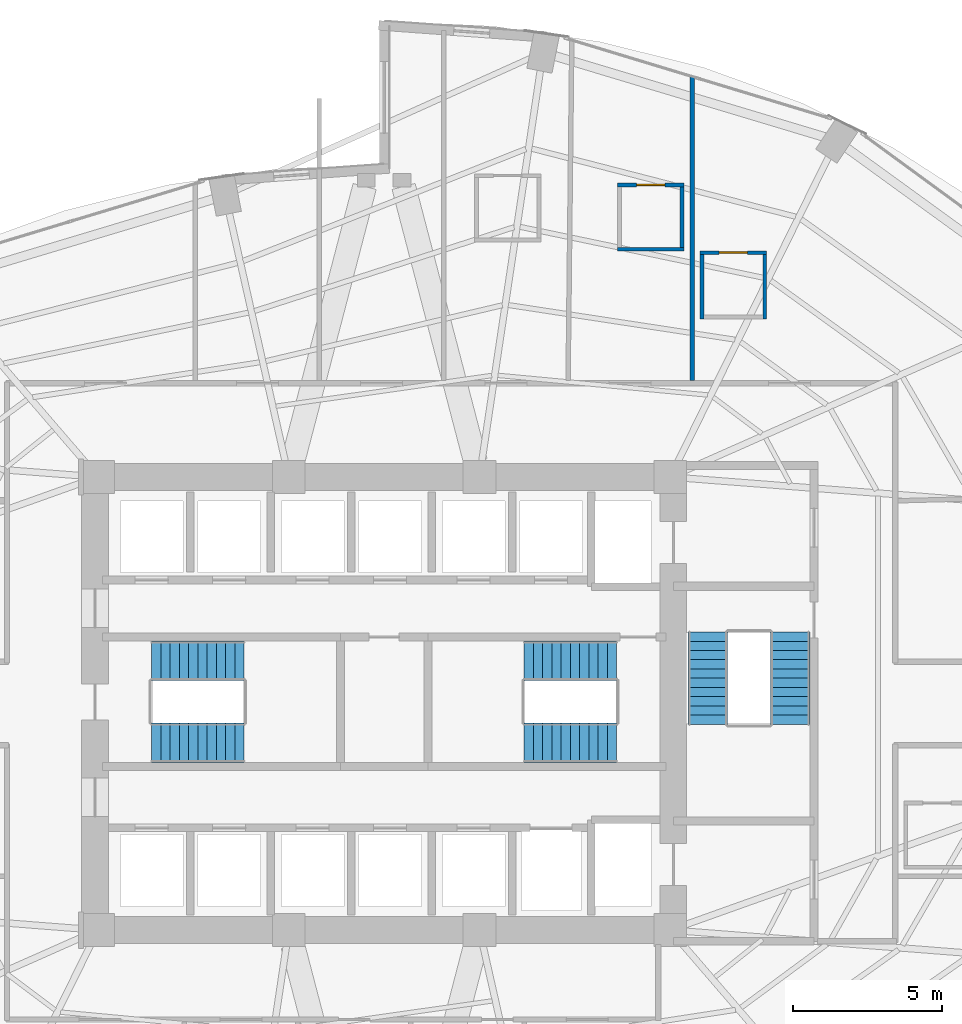
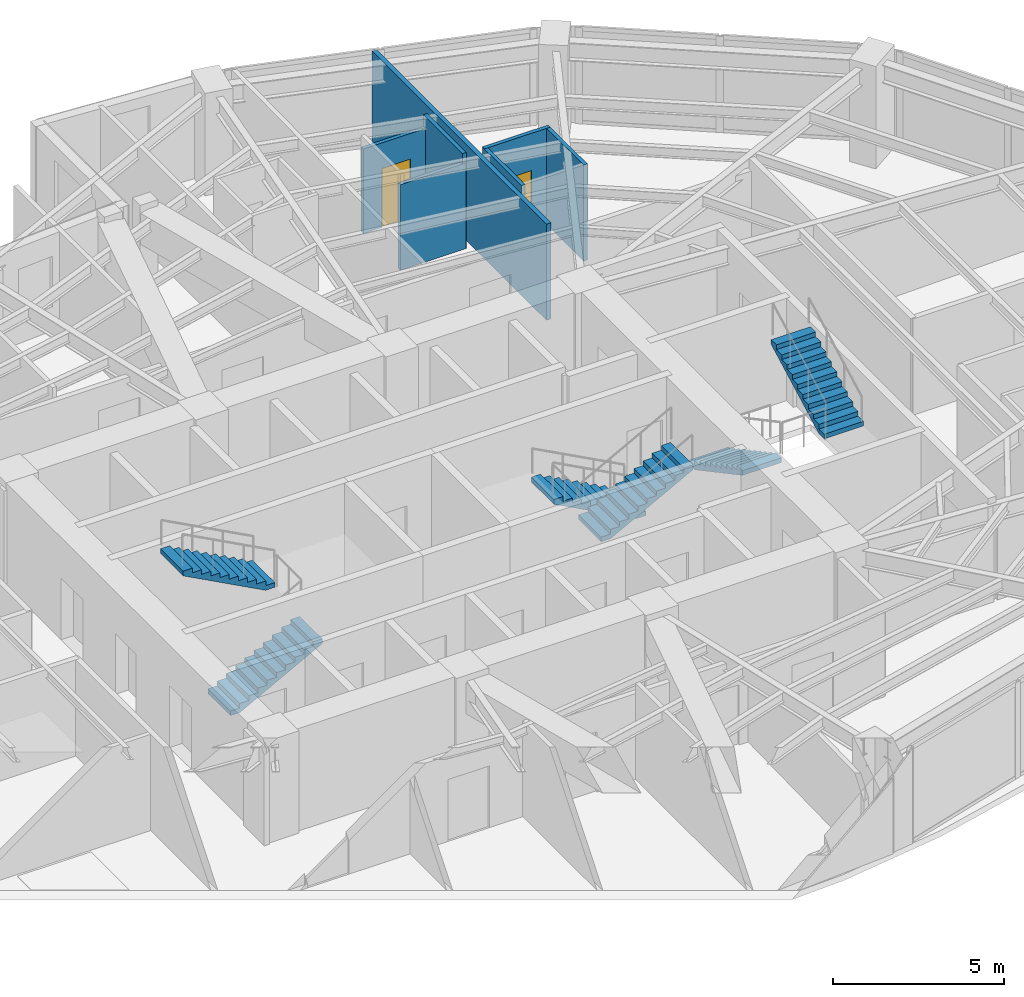
# One storey, part 23 of 25: 7 walls, 6 stair flights, 2 doors, 2 openings, 3 elements without a shape of their own.
"""IFC4 building model written with IfcOpenShell, lengths in metres."""

import ifcopenshell
import ifcopenshell.guid

model = None  # the IFC model being written
_history = None  # IfcOwnerHistory: only IFC2X3 demands one
_inside = {}  # id of a spatial element -> (the spatial element, [elements in it])
_under = {}  # id of a project, library or spatial element -> (it, [spatial elements below it])
_declared = {}  # id of a project -> (the project, [libraries it declares])
_typed = {}  # id of a type object -> (the type object, [elements of that type])
_made_of = {}  # id of a material, layer set ... -> (it, [elements and type objects made of it])


def new_model(schema):
    """Start an empty IFC model of exactly this schema.

    Asked for "IFC4X3", IfcOpenShell would pick the latest addendum, in which some entities
    have other attributes; the version numbers below select the first issue.
    IFC2X3 requires an IfcOwnerHistory on every rooted entity: one is made here for all.
    """
    global model, _history
    if schema == "IFC4X3":
        model = ifcopenshell.file(schema_version=(4, 3, 0, 0))
    else:
        model = ifcopenshell.file(schema=schema)
    _inside.clear()
    _under.clear()
    _declared.clear()
    _typed.clear()
    _made_of.clear()
    _history = None
    if model.schema == "IFC2X3":
        org = make("IfcOrganization", Name="unknown")
        user = make(
            "IfcPersonAndOrganization",
            ThePerson=make("IfcPerson", FamilyName="unknown"),
            TheOrganization=org,
        )
        app = make(
            "IfcApplication",
            ApplicationDeveloper=org,
            Version="unknown",
            ApplicationFullName="unknown",
            ApplicationIdentifier="unknown",
        )
        _history = make(
            "IfcOwnerHistory",
            OwningUser=user,
            OwningApplication=app,
            ChangeAction="ADDED",
            CreationDate=0,
        )
    return model


def make(cls, **values):
    """One entity of the class cls with the attributes given. An attribute that is None is left unset."""
    return model.create_entity(
        cls, **{name: value for name, value in values.items() if value is not None}
    )


def rooted(cls, **values):
    """An entity with a GlobalId (a new one), such as an element, a storey or a relation."""
    return make(cls, GlobalId=ifcopenshell.guid.new(), OwnerHistory=_history, **values)


def si_unit(unit_type, name, prefix=None):
    """IfcSIUnit, for example si_unit("LENGTHUNIT", "METRE", prefix="MILLI")."""
    return make("IfcSIUnit", UnitType=unit_type, Prefix=prefix, Name=name)


def assignment(units):
    """IfcUnitAssignment: the units of a project."""
    return None if units is None else make("IfcUnitAssignment", Units=units)


def point(xyz):
    """IfcCartesianPoint."""
    return None if xyz is None else make("IfcCartesianPoint", Coordinates=xyz)


def direction(xyz):
    """IfcDirection."""
    return None if xyz is None else make("IfcDirection", DirectionRatios=xyz)


def frame(location, z_axis=None, x_axis=None):
    """IfcAxis2Placement3D, a coordinate frame: its origin and axes. An axis left out is left unset."""
    return make(
        "IfcAxis2Placement3D",
        Location=point(location),
        Axis=direction(z_axis),
        RefDirection=direction(x_axis),
    )


def frame_2d(location, x_axis=None):
    """IfcAxis2Placement2D, a coordinate frame in the plane: its origin and x axis."""
    return make(
        "IfcAxis2Placement2D", Location=point(location), RefDirection=direction(x_axis)
    )


def origin():
    """The frame at (0, 0, 0) with its axes left unset."""
    return frame((0.0, 0.0, 0.0))


def place(relative_to, where):
    """IfcLocalPlacement: puts the frame where relative to a parent placement (None: the world)."""
    return make(
        "IfcLocalPlacement", PlacementRelTo=relative_to, RelativePlacement=where
    )


def context(
    kind, dimensions, precision=None, world=None, true_north=None, identifier=None
):
    """IfcGeometricRepresentationContext, for example the 3D "Model" context."""
    return make(
        "IfcGeometricRepresentationContext",
        ContextIdentifier=identifier,
        ContextType=kind,
        CoordinateSpaceDimension=dimensions,
        Precision=precision,
        WorldCoordinateSystem=world,
        TrueNorth=true_north,
    )


def subcontext(parent, identifier, kind, view, scale=None):
    """IfcGeometricRepresentationSubContext, for example "Body" below "Model"."""
    return make(
        "IfcGeometricRepresentationSubContext",
        ContextIdentifier=identifier,
        ContextType=kind,
        ParentContext=parent,
        TargetScale=scale,
        TargetView=view,
    )


def project(units=None, contexts=None):
    """IfcProject with its units and contexts."""
    return rooted(
        "IfcProject",
        Name="project",
        RepresentationContexts=contexts,
        UnitsInContext=assignment(units),
    )


def spatial(cls, under=None, at=None, **own):
    """A site, building, storey or space (cls), placed at a placement, below another one or the project."""
    s = rooted(cls, ObjectPlacement=at, **own)
    if under is not None:
        _under.setdefault(under.id(), (under, []))[1].append(s)
    return s


def polyline(points):
    """IfcPolyline through the points."""
    return make("IfcPolyline", Points=[point(p) for p in points])


def profile(cls, at=None, kind="AREA", **sizes):
    """A parametric profile (cls). Its sizes go by their IFC names, for example OverallWidth=200.0."""
    return make(cls, ProfileType=kind, Position=at, **sizes)


def rectangle(**sizes):
    """IfcRectangleProfileDef."""
    return profile("IfcRectangleProfileDef", **sizes)


def outline(outer, holes=None, kind="AREA"):
    """IfcArbitraryClosedProfileDef: a profile drawn as a closed curve; with holes, ...WithVoids."""
    if holes is None:
        return make("IfcArbitraryClosedProfileDef", ProfileType=kind, OuterCurve=outer)
    return make(
        "IfcArbitraryProfileDefWithVoids",
        ProfileType=kind,
        OuterCurve=outer,
        InnerCurves=holes,
    )


def extrude(swept, where, along, depth):
    """IfcExtrudedAreaSolid: the profile swept, set in the frame where, extruded along a direction by depth."""
    return make(
        "IfcExtrudedAreaSolid",
        SweptArea=swept,
        Position=where,
        ExtrudedDirection=direction(along),
        Depth=depth,
    )


def shape(context_of_items, identifier, shape_type, items):
    """IfcShapeRepresentation: the items that make up one representation, for example the "Body"."""
    return make(
        "IfcShapeRepresentation",
        ContextOfItems=context_of_items,
        RepresentationIdentifier=identifier,
        RepresentationType=shape_type,
        Items=items,
    )


def material(Name=None, Category=None):
    """IfcMaterial."""
    return make("IfcMaterial", Name=Name, Category=Category)


def layer(
    of_material, thickness, ventilated=None, Name=None, Category=None, Priority=None
):
    """IfcMaterialLayer: one layer of a wall or slab, of a material (None: an air gap)."""
    return make(
        "IfcMaterialLayer",
        Material=of_material,
        LayerThickness=thickness,
        IsVentilated=ventilated,
        Name=Name,
        Category=Category,
        Priority=Priority,
    )


def layer_set(layers, Name=None):
    """IfcMaterialLayerSet."""
    return make("IfcMaterialLayerSet", MaterialLayers=layers, LayerSetName=Name)


def made_of(thing, what):
    """Note that an element or type object is made of a material, layer set ...; save() writes the relation."""
    if what is not None:
        _made_of.setdefault(what.id(), (what, []))[1].append(thing)
    return thing


def type_object(cls, material=None, **own):
    """A type object (cls), such as IfcWallType, which elements share."""
    return made_of(rooted(cls, **own), material)


def element(
    cls,
    number,
    at=None,
    inside=None,
    cuts=None,
    type_object=None,
    material=None,
    context=None,
    identifier="Body",
    shape_type=None,
    held_by="IfcProductDefinitionShape",
    body=None,
    shapes=None,
    **own,
):
    """One element of the class cls, such as IfcWall. Its Tag is "e" and its number.

    at: its placement. inside: the storey or other place that contains it. cuts: it is an
    opening in that element (IfcRelVoidsElement). A single representation is given by context,
    identifier, shape_type and body (its items); several are given by shapes. held_by: the class
    of the entity that holds the representations. save() writes the other relations.
    """
    e = rooted(cls, Tag="e%d" % number, ObjectPlacement=at, **own)
    if body is not None:
        shapes = [shape(context, identifier, shape_type, body)]
    if shapes is not None:
        e.Representation = make(held_by, Representations=shapes)
    if inside is not None:
        _inside.setdefault(inside.id(), (inside, []))[1].append(e)
    if cuts is not None:
        rooted(
            "IfcRelVoidsElement", RelatingBuildingElement=cuts, RelatedOpeningElement=e
        )
    if type_object is not None:
        _typed.setdefault(type_object.id(), (type_object, []))[1].append(e)
    return made_of(e, material)


def fill(opening, filler):
    """IfcRelFillsElement: the door or window that sits in an opening."""
    return rooted(
        "IfcRelFillsElement",
        RelatingOpeningElement=opening,
        RelatedBuildingElement=filler,
    )


def aggregate(whole, parts):
    """IfcRelAggregates: a whole, such as a stair, and the parts it consists of."""
    return rooted("IfcRelAggregates", RelatingObject=whole, RelatedObjects=parts)


def save(model, path):
    """Write the relations noted so far, then the file.

    IfcRelAggregates (storeys below a building ...), IfcRelContainedInSpatialStructure (elements
    in a storey), IfcRelDefinesByType, IfcRelAssociatesMaterial and IfcRelDeclares: one each for
    every whole, place, type object, material and project.
    """
    for whole, parts in _under.values():
        aggregate(whole, parts)
    for where, things in _inside.values():
        rooted(
            "IfcRelContainedInSpatialStructure",
            RelatedElements=things,
            RelatingStructure=where,
        )
    for kind, things in _typed.values():
        rooted("IfcRelDefinesByType", RelatedObjects=things, RelatingType=kind)
    for what, things in _made_of.values():
        rooted("IfcRelAssociatesMaterial", RelatedObjects=things, RelatingMaterial=what)
    for by, libraries in _declared.values():
        rooted("IfcRelDeclares", RelatingContext=by, RelatedDefinitions=libraries)
    model.write(path)


model = new_model("IFC4")

# Units and contexts
model_context = context("Model", 3, precision=1e-05, world=origin(), true_north=direction((0.0, 1.0)))
body_context = subcontext(model_context, "Body", "Model", "MODEL_VIEW")
ifc_project = project(units=[si_unit("LENGTHUNIT", "METRE"), si_unit("AREAUNIT", "SQUARE_METRE"), si_unit("VOLUMEUNIT", "CUBIC_METRE"), si_unit("PLANEANGLEUNIT", "RADIAN"), si_unit("MASSUNIT", "GRAM", prefix="KILO")], contexts=[model_context])

# Site, building, storey
site_placement = place(None, origin())
site = spatial("IfcSite", under=ifc_project, at=site_placement, CompositionType="ELEMENT")
building_placement = place(site_placement, origin())
building = spatial("IfcBuilding", under=site, at=building_placement, Name="Lazwardi Medical Tower", CompositionType="ELEMENT")
storey_placement = place(building_placement, frame((0.0, 0.0, 28.847900390625)))
storey = spatial("IfcBuildingStorey", under=building, at=storey_placement, Name="L06", CompositionType="ELEMENT", Elevation=28.847900390625)

# Wall, opening, door
ifc_material_1 = material(Name="Moisture-resistant gypsum board partition")
ifc_layer_1 = layer(ifc_material_1, 0.125)
ifc_layer_set_1 = layer_set([ifc_layer_1], Name="Moisture-resistant gypsum board partition")
wall_type_1 = type_object("IfcWallType", Name="WL-ENS-125", PredefinedType="PARTITIONING", material=ifc_layer_set_1)
wall_1_placement = place(storey_placement, frame((46.60498046875, 43.126953125, 0.0), z_axis=(0.0, 0.0, 1.0), x_axis=(1.0, 0.0, 0.0)))
wall_1 = element("IfcWall", 1, at=wall_1_placement, inside=storey, type_object=wall_type_1, Name="L06 En-suite wall 7N", PredefinedType="PARTITIONING", context=body_context, shape_type="SweptSolid", body=[
    extrude(rectangle(XDim=2.219970703125, YDim=0.125, at=frame_2d((1.10986328125, 0.0))), origin(), (0.0, 0.0, 1.0), 3.427978515625),
])
opening_1_placement = place(wall_1_placement, frame((0.635009765625, 0.0, 0.0)))
opening_1 = element("IfcOpeningElement", 2, at=opening_1_placement, cuts=wall_1, Name="Opening D-L06-005", PredefinedType="OPENING", context=body_context, shape_type="SweptSolid", body=[
    extrude(rectangle(XDim=0.949951171875, YDim=2.10009765625, at=frame_2d((0.47509765625, 1.050048828125))), frame((0.0, 0.072509765625, 0.0), z_axis=(0.0, -1.0, 0.0), x_axis=(1.0, 0.0, 0.0)), (0.0, 0.0, 1.0), 0.14501953125),
])
ifc_material_2 = material(Name="Moisture-resistant laminate door leaf")
door_type = type_object("IfcDoorType", Name="DR-ENS-950", OperationType="NOTDEFINED", PredefinedType="DOOR", material=ifc_material_2)
door_1_placement = place(opening_1_placement, origin())
door_1 = element("IfcDoor", 3, at=door_1_placement, inside=storey, type_object=door_type, Name="L06 En-suite Door 07", OperationType="SINGLE_SWING_LEFT", OverallHeight=2.10009765625, OverallWidth=0.949951171875, PredefinedType="DOOR", context=body_context, shape_type="SweptSolid", body=[
    extrude(rectangle(XDim=0.949951171875, YDim=2.10009765625, at=frame_2d((0.47509765625, 1.050048828125))), frame((0.0, 0.02490234375, 0.0), z_axis=(0.0, -1.0, 0.0), x_axis=(1.0, 0.0, 0.0)), (0.0, 0.0, 1.0), 0.050048828125),
])
fill(opening_1, door_1)

# Walls
for number, where, z_axis, x_axis, name in (
    (4, (48.764892578125, 40.906982421875, 0.0), (0.0, 0.0, 1.0), (0.0, 1.0, 0.0), "L06 En-suite wall 7E"),
    (5, (46.6650390625, 40.906982421875, 0.0), (0.0, 0.0, 1.0), (0.0, 1.0, 0.0), "L06 En-suite wall 7W"),
):
    element("IfcWall", number, at=place(storey_placement, frame(where, z_axis=z_axis, x_axis=x_axis)), inside=storey, type_object=wall_type_1, Name=name, PredefinedType="PARTITIONING", context=body_context, shape_type="SweptSolid", body=[
        extrude(rectangle(XDim=2.280029296875, YDim=0.125, at=frame_2d((1.14013671875, 0.0))), origin(), (0.0, 0.0, 1.0), 3.427978515625),
    ])

# Wall, opening, door
wall_2_placement = place(storey_placement, frame((43.8349609375, 45.3994140625, 0.0), z_axis=(0.0, 0.0, 1.0), x_axis=(1.0, 0.0, 0.0)))
wall_2 = element("IfcWall", 6, at=wall_2_placement, inside=storey, type_object=wall_type_1, Name="L06 En-suite wall 8N", PredefinedType="PARTITIONING", context=body_context, shape_type="SweptSolid", body=[
    extrude(rectangle(XDim=2.219970703125, YDim=0.125, at=frame_2d((1.10986328125, 0.0))), origin(), (0.0, 0.0, 1.0), 3.01318359375),
])
opening_2_placement = place(wall_2_placement, frame((0.635009765625, 0.0, 0.0)))
opening_2 = element("IfcOpeningElement", 7, at=opening_2_placement, cuts=wall_2, Name="Opening D-L06-006", PredefinedType="OPENING", context=body_context, shape_type="SweptSolid", body=[
    extrude(rectangle(XDim=0.949951171875, YDim=2.10009765625, at=frame_2d((0.47509765625, 1.050048828125))), frame((0.0, 0.072509765625, 0.0), z_axis=(0.0, -1.0, 0.0), x_axis=(1.0, 0.0, 0.0)), (0.0, 0.0, 1.0), 0.14501953125),
])
door_2_placement = place(opening_2_placement, origin())
door_2 = element("IfcDoor", 8, at=door_2_placement, inside=storey, type_object=door_type, Name="L06 En-suite Door 08", OperationType="SINGLE_SWING_LEFT", OverallHeight=2.10009765625, OverallWidth=0.949951171875, PredefinedType="DOOR", context=body_context, shape_type="SweptSolid", body=[
    extrude(rectangle(XDim=0.949951171875, YDim=2.10009765625, at=frame_2d((0.47509765625, 1.050048828125))), frame((0.0, 0.02490234375, 0.0), z_axis=(0.0, -1.0, 0.0), x_axis=(1.0, 0.0, 0.0)), (0.0, 0.0, 1.0), 0.050048828125),
])
fill(opening_2, door_2)

# Walls
wall_3_placement = place(storey_placement, frame((43.8349609375, 43.2392578125, 0.0), z_axis=(0.0, 0.0, 1.0), x_axis=(1.0, 0.0, 0.0)))
element("IfcWall", 9, at=wall_3_placement, inside=storey, type_object=wall_type_1, Name="L06 En-suite wall 8S", PredefinedType="PARTITIONING", context=body_context, shape_type="SweptSolid", body=[
    extrude(rectangle(XDim=2.219970703125, YDim=0.125, at=frame_2d((1.10986328125, 0.0))), origin(), (0.0, 0.0, 1.0), 3.052978515625),
])
wall_4_placement = place(storey_placement, frame((45.9951171875, 43.17919921875, 0.0), z_axis=(0.0, 0.0, 1.0), x_axis=(0.0, 1.0, 0.0)))
element("IfcWall", 10, at=wall_4_placement, inside=storey, type_object=wall_type_1, Name="L06 En-suite wall 8E", PredefinedType="PARTITIONING", context=body_context, shape_type="SweptSolid", body=[
    extrude(rectangle(XDim=2.280029296875, YDim=0.125, at=frame_2d((1.14013671875, 0.0))), origin(), (0.0, 0.0, 1.0), 3.427978515625),
])
ifc_material_3 = material(Name="Acoustic gypsum board partition")
ifc_layer_2 = layer(ifc_material_3, 0.14990234375)
ifc_layer_set_2 = layer_set([ifc_layer_2], Name="Acoustic gypsum board partition")
wall_type_2 = type_object("IfcWallType", Name="WL-WRD-150", PredefinedType="PARTITIONING", material=ifc_layer_set_2)
wall_5_placement = place(storey_placement, frame((46.330078125, 38.840087890625, 0.0), z_axis=(0.0, 0.0, 1.0), x_axis=(0.0, 1.0, 0.0)))
element("IfcWall", 11, at=wall_5_placement, inside=storey, type_object=wall_type_2, Name="L06 Room partition 9", PredefinedType="PARTITIONING", context=body_context, shape_type="SweptSolid", body=[
    extrude(rectangle(XDim=10.1845703125, YDim=0.14990234375, at=frame_2d((5.09228515625, 0.0))), origin(), (0.0, 0.0, 1.0), 3.427978515625),
])

# Stair, stair flights
ifc_material_4 = material(Name="Concrete C45/55", Category="concrete")
stair_type = type_object("IfcStairType", Name="STR-WRD", PredefinedType="HALF_TURN_STAIR", material=ifc_material_4)
stair_1_placement = place(storey_placement, origin())
stair_1 = element("IfcStair", 12, at=stair_1_placement, inside=storey, type_object=stair_type, Name="L06 Protected Exit Stair ST1", PredefinedType="HALF_TURN_STAIR")
stair_flight_type = type_object("IfcStairFlightType", Name="FLT-WRD", PredefinedType="STRAIGHT", material=ifc_material_4)
stair_flight_1_placement = place(storey_placement, frame((28.199951171875, 26.679931640625, 0.0), z_axis=(0.0, 0.0, 1.0), x_axis=(1.0, 0.0, 0.0)))
stair_flight_1 = element("IfcStairFlight", 13, at=stair_flight_1_placement, type_object=stair_flight_type, Name="ST1 flight 1", NumberOfRisers=11, NumberOfTreads=10, PredefinedType="STRAIGHT", RiserHeight=0.165818182, TreadLength=0.31, context=body_context, shape_type="SweptSolid", body=[
    extrude(outline(polyline([(0.0, 0.0), (0.0, 0.165771484375), (0.31005859375, 0.165771484375), (0.31005859375, 0.33154296875), (0.6201171875, 0.33154296875), (0.6201171875, 0.49755859375), (0.929931640625, 0.49755859375), (0.929931640625, 0.663330078125), (1.239990234375, 0.663330078125), (1.239990234375, 0.8291015625), (1.550048828125, 0.8291015625), (1.550048828125, 0.994873046875), (1.860107421875, 0.994873046875), (1.860107421875, 1.16064453125), (2.169921875, 1.16064453125), (2.169921875, 1.32666015625), (2.47998046875, 1.32666015625), (2.47998046875, 1.492431640625), (2.7900390625, 1.492431640625), (2.7900390625, 1.658203125), (3.10009765625, 1.658203125), (3.10009765625, 1.823974609375), (3.10009765625, 1.48828125), (0.31787109375, 0.0), (0.0, 0.0)])), frame((0.0, 0.66015625, 0.0), z_axis=(0.0, -1.0, 0.0), x_axis=(1.0, 0.0, 0.0)), (0.0, 0.0, 1.0), 1.320068359375),
])
stair_flight_2_placement = place(storey_placement, frame((31.300048828125, 29.43994140625, 1.82421875), z_axis=(0.0, 0.0, 1.0), x_axis=(-1.0, 0.0, 0.0)))
stair_flight_2 = element("IfcStairFlight", 14, at=stair_flight_2_placement, type_object=stair_flight_type, Name="ST1 flight 2", NumberOfRisers=11, NumberOfTreads=10, PredefinedType="STRAIGHT", RiserHeight=0.165818182, TreadLength=0.31, context=body_context, shape_type="SweptSolid", body=[
    extrude(outline(polyline([(0.0, 0.0), (0.0, 0.165771484375), (0.31005859375, 0.165771484375), (0.31005859375, 0.33154296875), (0.6201171875, 0.33154296875), (0.6201171875, 0.49755859375), (0.929931640625, 0.49755859375), (0.929931640625, 0.663330078125), (1.239990234375, 0.663330078125), (1.239990234375, 0.8291015625), (1.550048828125, 0.8291015625), (1.550048828125, 0.994873046875), (1.860107421875, 0.994873046875), (1.860107421875, 1.16064453125), (2.169921875, 1.16064453125), (2.169921875, 1.32666015625), (2.47998046875, 1.32666015625), (2.47998046875, 1.492431640625), (2.7900390625, 1.492431640625), (2.7900390625, 1.658203125), (3.10009765625, 1.658203125), (3.10009765625, 1.823974609375), (3.10009765625, 1.48828125), (0.31787109375, 0.0), (0.0, 0.0)])), frame((0.0, 0.66015625, 0.0), z_axis=(0.0, -1.0, 0.0), x_axis=(1.0, 0.0, 0.0)), (0.0, 0.0, 1.0), 1.320068359375),
])
aggregate(stair_1, [stair_flight_1, stair_flight_2])

stair_2_placement = place(storey_placement, origin())
stair_2 = element("IfcStair", 15, at=stair_2_placement, inside=storey, type_object=stair_type, Name="L06 Protected Exit Stair ST2", PredefinedType="HALF_TURN_STAIR")
stair_flight_3_placement = place(storey_placement, frame((43.800048828125, 29.43994140625, 0.0), z_axis=(0.0, 0.0, 1.0), x_axis=(-1.0, 0.0, 0.0)))
stair_flight_3 = element("IfcStairFlight", 16, at=stair_flight_3_placement, type_object=stair_flight_type, Name="ST2 flight 1", NumberOfRisers=11, NumberOfTreads=10, PredefinedType="STRAIGHT", RiserHeight=0.165818182, TreadLength=0.31, context=body_context, shape_type="SweptSolid", body=[
    extrude(outline(polyline([(0.0, 0.0), (0.0, 0.165771484375), (0.31005859375, 0.165771484375), (0.31005859375, 0.33154296875), (0.6201171875, 0.33154296875), (0.6201171875, 0.49755859375), (0.929931640625, 0.49755859375), (0.929931640625, 0.663330078125), (1.239990234375, 0.663330078125), (1.239990234375, 0.8291015625), (1.550048828125, 0.8291015625), (1.550048828125, 0.994873046875), (1.860107421875, 0.994873046875), (1.860107421875, 1.16064453125), (2.169921875, 1.16064453125), (2.169921875, 1.32666015625), (2.47998046875, 1.32666015625), (2.47998046875, 1.492431640625), (2.7900390625, 1.492431640625), (2.7900390625, 1.658203125), (3.10009765625, 1.658203125), (3.10009765625, 1.823974609375), (3.10009765625, 1.48828125), (0.31787109375, 0.0), (0.0, 0.0)])), frame((0.0, 0.66015625, 0.0), z_axis=(0.0, -1.0, 0.0), x_axis=(1.0, 0.0, 0.0)), (0.0, 0.0, 1.0), 1.320068359375),
])
stair_flight_4_placement = place(storey_placement, frame((40.699951171875, 26.679931640625, 1.82421875), z_axis=(0.0, 0.0, 1.0), x_axis=(1.0, 0.0, 0.0)))
stair_flight_4 = element("IfcStairFlight", 17, at=stair_flight_4_placement, type_object=stair_flight_type, Name="ST2 flight 2", NumberOfRisers=11, NumberOfTreads=10, PredefinedType="STRAIGHT", RiserHeight=0.165818182, TreadLength=0.31, context=body_context, shape_type="SweptSolid", body=[
    extrude(outline(polyline([(0.0, 0.0), (0.0, 0.165771484375), (0.31005859375, 0.165771484375), (0.31005859375, 0.33154296875), (0.6201171875, 0.33154296875), (0.6201171875, 0.49755859375), (0.929931640625, 0.49755859375), (0.929931640625, 0.663330078125), (1.239990234375, 0.663330078125), (1.239990234375, 0.8291015625), (1.550048828125, 0.8291015625), (1.550048828125, 0.994873046875), (1.860107421875, 0.994873046875), (1.860107421875, 1.16064453125), (2.169921875, 1.16064453125), (2.169921875, 1.32666015625), (2.47998046875, 1.32666015625), (2.47998046875, 1.492431640625), (2.7900390625, 1.492431640625), (2.7900390625, 1.658203125), (3.10009765625, 1.658203125), (3.10009765625, 1.823974609375), (3.10009765625, 1.48828125), (0.31787109375, 0.0), (0.0, 0.0)])), frame((0.0, 0.66015625, 0.0), z_axis=(0.0, -1.0, 0.0), x_axis=(1.0, 0.0, 0.0)), (0.0, 0.0, 1.0), 1.320068359375),
])
aggregate(stair_2, [stair_flight_3, stair_flight_4])

stair_3_placement = place(storey_placement, origin())
stair_3 = element("IfcStair", 18, at=stair_3_placement, inside=storey, type_object=stair_type, Name="L06 Protected Exit Stair ST3", PredefinedType="HALF_TURN_STAIR")
stair_flight_5_placement = place(storey_placement, frame((46.860107421875, 30.39990234375, 0.0), z_axis=(0.0, 0.0, 1.0), x_axis=(0.0, -1.0, 0.0)))
stair_flight_5 = element("IfcStairFlight", 19, at=stair_flight_5_placement, type_object=stair_flight_type, Name="ST3 flight 1", NumberOfRisers=11, NumberOfTreads=10, PredefinedType="STRAIGHT", RiserHeight=0.165818182, TreadLength=0.31, context=body_context, shape_type="SweptSolid", body=[
    extrude(outline(polyline([(0.0, 0.0), (0.0, 0.165771484375), (0.31005859375, 0.165771484375), (0.31005859375, 0.33154296875), (0.6201171875, 0.33154296875), (0.6201171875, 0.49755859375), (0.929931640625, 0.49755859375), (0.929931640625, 0.663330078125), (1.239990234375, 0.663330078125), (1.239990234375, 0.8291015625), (1.550048828125, 0.8291015625), (1.550048828125, 0.994873046875), (1.860107421875, 0.994873046875), (1.860107421875, 1.16064453125), (2.169921875, 1.16064453125), (2.169921875, 1.32666015625), (2.47998046875, 1.32666015625), (2.47998046875, 1.492431640625), (2.7900390625, 1.492431640625), (2.7900390625, 1.658203125), (3.10009765625, 1.658203125), (3.10009765625, 1.823974609375), (3.10009765625, 1.48828125), (0.31787109375, 0.0), (0.0, 0.0)])), frame((0.0, 0.66015625, 0.0), z_axis=(0.0, -1.0, 0.0), x_axis=(1.0, 0.0, 0.0)), (0.0, 0.0, 1.0), 1.320068359375),
])
stair_flight_6_placement = place(storey_placement, frame((49.6201171875, 27.300048828125, 1.82421875), z_axis=(0.0, 0.0, 1.0), x_axis=(0.0, 1.0, 0.0)))
stair_flight_6 = element("IfcStairFlight", 20, at=stair_flight_6_placement, type_object=stair_flight_type, Name="ST3 flight 2", NumberOfRisers=11, NumberOfTreads=10, PredefinedType="STRAIGHT", RiserHeight=0.165818182, TreadLength=0.31, context=body_context, shape_type="SweptSolid", body=[
    extrude(outline(polyline([(0.0, 0.0), (0.0, 0.165771484375), (0.31005859375, 0.165771484375), (0.31005859375, 0.33154296875), (0.6201171875, 0.33154296875), (0.6201171875, 0.49755859375), (0.929931640625, 0.49755859375), (0.929931640625, 0.663330078125), (1.239990234375, 0.663330078125), (1.239990234375, 0.8291015625), (1.550048828125, 0.8291015625), (1.550048828125, 0.994873046875), (1.860107421875, 0.994873046875), (1.860107421875, 1.16064453125), (2.169921875, 1.16064453125), (2.169921875, 1.32666015625), (2.47998046875, 1.32666015625), (2.47998046875, 1.492431640625), (2.7900390625, 1.492431640625), (2.7900390625, 1.658203125), (3.10009765625, 1.658203125), (3.10009765625, 1.823974609375), (3.10009765625, 1.48828125), (0.31787109375, 0.0), (0.0, 0.0)])), frame((0.0, 0.66015625, 0.0), z_axis=(0.0, -1.0, 0.0), x_axis=(1.0, 0.0, 0.0)), (0.0, 0.0, 1.0), 1.320068359375),
])
aggregate(stair_3, [stair_flight_5, stair_flight_6])

save(model, "model.ifc")
